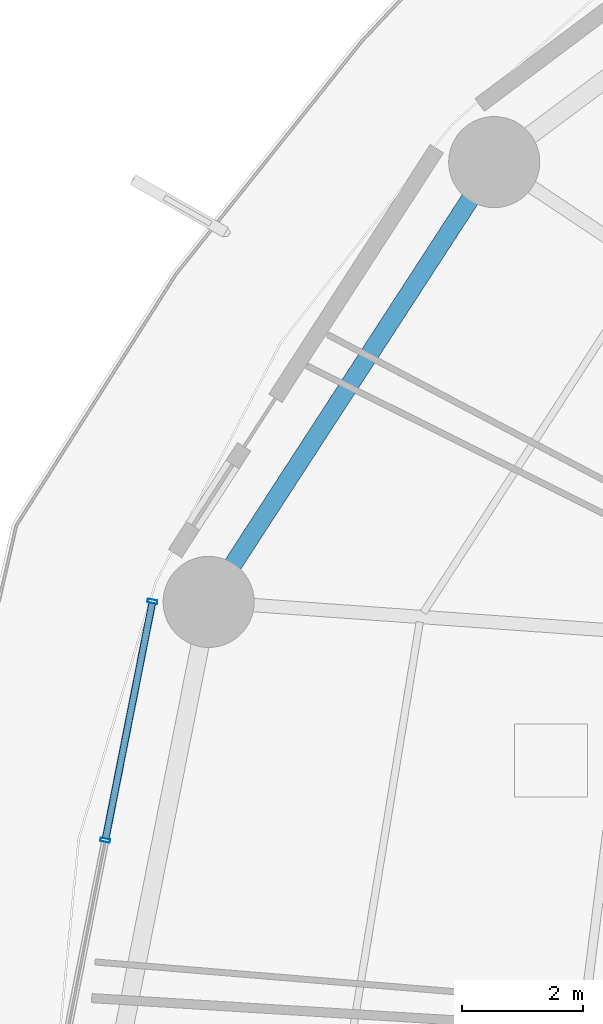
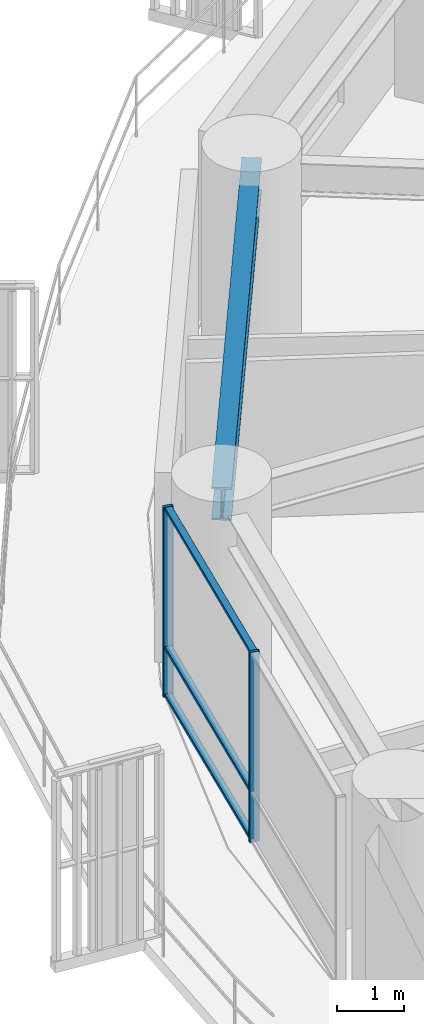
# One storey, part 15 of 32: 5 members, 1 beam, 1 element without a shape of its own.
"""IFC4 building model written with IfcOpenShell, lengths in metres."""

from ifc_helpers import new_model, si_unit, direction, frame, origin, origin_2d, place, context, subcontext, project, spatial, hollow_rectangle, i_section, extrude, material, layer, layer_set, material_profile, profile_set, type_object, element, aggregate, save


model = new_model("IFC4")

# Units and contexts
model_context = context("Model", 3, precision=1e-05, world=origin(), true_north=direction((0.0, 1.0)))
body_context = subcontext(model_context, "Body", "Model", "MODEL_VIEW")
ifc_project = project(units=[si_unit("LENGTHUNIT", "METRE"), si_unit("AREAUNIT", "SQUARE_METRE"), si_unit("VOLUMEUNIT", "CUBIC_METRE"), si_unit("PLANEANGLEUNIT", "RADIAN"), si_unit("MASSUNIT", "GRAM", prefix="KILO")], contexts=[model_context])

# Site, building, storey
site_placement = place(None, origin())
site = spatial("IfcSite", under=ifc_project, at=site_placement, CompositionType="ELEMENT")
building_placement = place(site_placement, origin())
building = spatial("IfcBuilding", under=site, at=building_placement, Name="Kelanora Arch Commons", CompositionType="ELEMENT")
storey_placement = place(building_placement, frame((0.0, 0.0, 56.25)))
storey = spatial("IfcBuildingStorey", under=building, at=storey_placement, Name="L14", CompositionType="ELEMENT", Elevation=56.25)

# Beam
ifc_material_1 = material(Name="Steel S355", Category="steel")
ifc_material_profile_1 = material_profile(ifc_material_1, i_section(OverallWidth=0.300048828125, OverallDepth=0.60009765625, WebThickness=0.015380859375, FlangeThickness=0.030029296875, FilletRadius=0.027099609375, at=origin_2d()), Name="HEB600")
ifc_profile_set_1 = profile_set([ifc_material_profile_1], Name="Steel S355")
beam_type = type_object("IfcBeamType", Name="BM-SPN-Z1", PredefinedType="SPANDREL", material=ifc_profile_set_1)
beam_placement = place(storey_placement, frame((53.255615234375, 73.478271484375, 3.18994140625), z_axis=(-0.544585813928, -0.838705127722, 0.0), x_axis=(0.838705127722, -0.544585813928, 0.0)))
element("IfcBeam", 1, at=beam_placement, inside=storey, type_object=beam_type, Name="Perimeter Spandrel Beam BS-14 L14", PredefinedType="SPANDREL", context=body_context, shape_type="SweptSolid", body=[
    extrude(i_section(OverallWidth=0.300048828125, OverallDepth=0.60009765625, WebThickness=0.015380859375, FlangeThickness=0.030029296875, FilletRadius=0.027099609375, at=origin_2d()), origin(), (0.0, 0.0, 1.0), 8.63525390625),
])

# Curtain wall, members
ifc_material_2 = material(Name="Terracotta ceramic-fritted low-E glass and aluminium", Category="masonry")
ifc_layer = layer(ifc_material_2, 0.159912109375)
ifc_layer_set = layer_set([ifc_layer], Name="Terracotta ceramic-fritted low-E glass and aluminium")
curtain_wall_type = type_object("IfcCurtainWallType", Name="CW-SYS-01", PredefinedType="NOTDEFINED", material=ifc_layer_set)
curtain_wall_placement = place(storey_placement, origin())
curtain_wall = element("IfcCurtainWall", 2, at=curtain_wall_placement, inside=storey, type_object=curtain_wall_type, Name="Unitised Curtain Wall L14-B08", PredefinedType="NOTDEFINED")
ifc_material_3 = material(Name="Powder-coated aluminium terracotta", Category="masonry")
ifc_material_profile_2 = material_profile(ifc_material_3, hollow_rectangle(XDim=0.159912109375, YDim=0.06005859375, WallThickness=0.0048828125, InnerFilletRadius=0.0048828125, OuterFilletRadius=0.010009765625, at=origin_2d()), Name="CWM160x60")
ifc_profile_set_2 = profile_set([ifc_material_profile_2], Name="Powder-coated aluminium terracotta")
member_type_1 = type_object("IfcMemberType", Name="CWM-STD", PredefinedType="MULLION", material=ifc_profile_set_2)
member_1_placement = place(storey_placement, frame((47.628173828125, 66.243896484375, 0.0), z_axis=(0.0, 0.0, 1.0), x_axis=(0.981052110579, -0.193744048498, 0.0)))
member_1 = element("IfcMember", 3, at=member_1_placement, type_object=member_type_1, Name="CW-01 mullion 1", PredefinedType="MULLION", context=body_context, shape_type="SweptSolid", body=[
    extrude(hollow_rectangle(XDim=0.159912109375, YDim=0.06005859375, WallThickness=0.0048828125, InnerFilletRadius=0.0048828125, OuterFilletRadius=0.010009765625, at=origin_2d()), origin(), (0.0, 0.0, 1.0), 3.47509765625),
])
member_2_placement = place(storey_placement, frame((46.8515625, 62.3115234375, 0.0), z_axis=(0.0, 0.0, 1.0), x_axis=(0.981052110579, -0.193744048498, 0.0)))
member_2 = element("IfcMember", 4, at=member_2_placement, type_object=member_type_1, Name="CW-01 mullion 2", PredefinedType="MULLION", context=body_context, shape_type="SweptSolid", body=[
    extrude(hollow_rectangle(XDim=0.159912109375, YDim=0.06005859375, WallThickness=0.0048828125, InnerFilletRadius=0.0048828125, OuterFilletRadius=0.010009765625, at=origin_2d()), origin(), (0.0, 0.0, 1.0), 3.47509765625),
])
ifc_material_profile_3 = material_profile(ifc_material_3, hollow_rectangle(XDim=0.1201171875, YDim=0.06005859375, WallThickness=0.0048828125, InnerFilletRadius=0.0048828125, OuterFilletRadius=0.010009765625, at=origin_2d()), Name="CWT120x60")
ifc_profile_set_3 = profile_set([ifc_material_profile_3], Name="Powder-coated aluminium terracotta")
member_type_2 = type_object("IfcMemberType", Name="CWT-STD", PredefinedType="USERDEFINED", material=ifc_profile_set_3)
member_3_placement = place(storey_placement, frame((47.622314453125, 66.21435546875, 0.030029296875), z_axis=(-0.193725436624, -0.98105578598, 0.0), x_axis=(0.98105578598, -0.193725436624, 0.0)))
member_3 = element("IfcMember", 5, at=member_3_placement, type_object=member_type_2, Name="CW-01 transom 1.1", ObjectType="TRANSOM", PredefinedType="USERDEFINED", context=body_context, shape_type="SweptSolid", body=[
    extrude(hollow_rectangle(XDim=0.1201171875, YDim=0.06005859375, WallThickness=0.0048828125, InnerFilletRadius=0.0048828125, OuterFilletRadius=0.010009765625, at=origin_2d()), origin(), (0.0, 0.0, 1.0), 3.9482421875),
])
member_4_placement = place(storey_placement, frame((47.622314453125, 66.21435546875, 0.89990234375), z_axis=(-0.193725436624, -0.98105578598, 0.0), x_axis=(0.98105578598, -0.193725436624, 0.0)))
member_4 = element("IfcMember", 6, at=member_4_placement, type_object=member_type_2, Name="CW-01 transom 1.2", ObjectType="TRANSOM", PredefinedType="USERDEFINED", context=body_context, shape_type="SweptSolid", body=[
    extrude(hollow_rectangle(XDim=0.1201171875, YDim=0.06005859375, WallThickness=0.0048828125, InnerFilletRadius=0.0048828125, OuterFilletRadius=0.010009765625, at=origin_2d()), origin(), (0.0, 0.0, 1.0), 3.9482421875),
])
member_5_placement = place(storey_placement, frame((47.622314453125, 66.21435546875, 3.445068359375), z_axis=(-0.193725436624, -0.98105578598, 0.0), x_axis=(0.98105578598, -0.193725436624, 0.0)))
member_5 = element("IfcMember", 7, at=member_5_placement, type_object=member_type_2, Name="CW-01 transom 1.3", ObjectType="TRANSOM", PredefinedType="USERDEFINED", context=body_context, shape_type="SweptSolid", body=[
    extrude(hollow_rectangle(XDim=0.1201171875, YDim=0.06005859375, WallThickness=0.0048828125, InnerFilletRadius=0.0048828125, OuterFilletRadius=0.010009765625, at=origin_2d()), origin(), (0.0, 0.0, 1.0), 3.9482421875),
])
aggregate(curtain_wall, [member_1, member_2, member_3, member_4, member_5])

save(model, "model.ifc")
